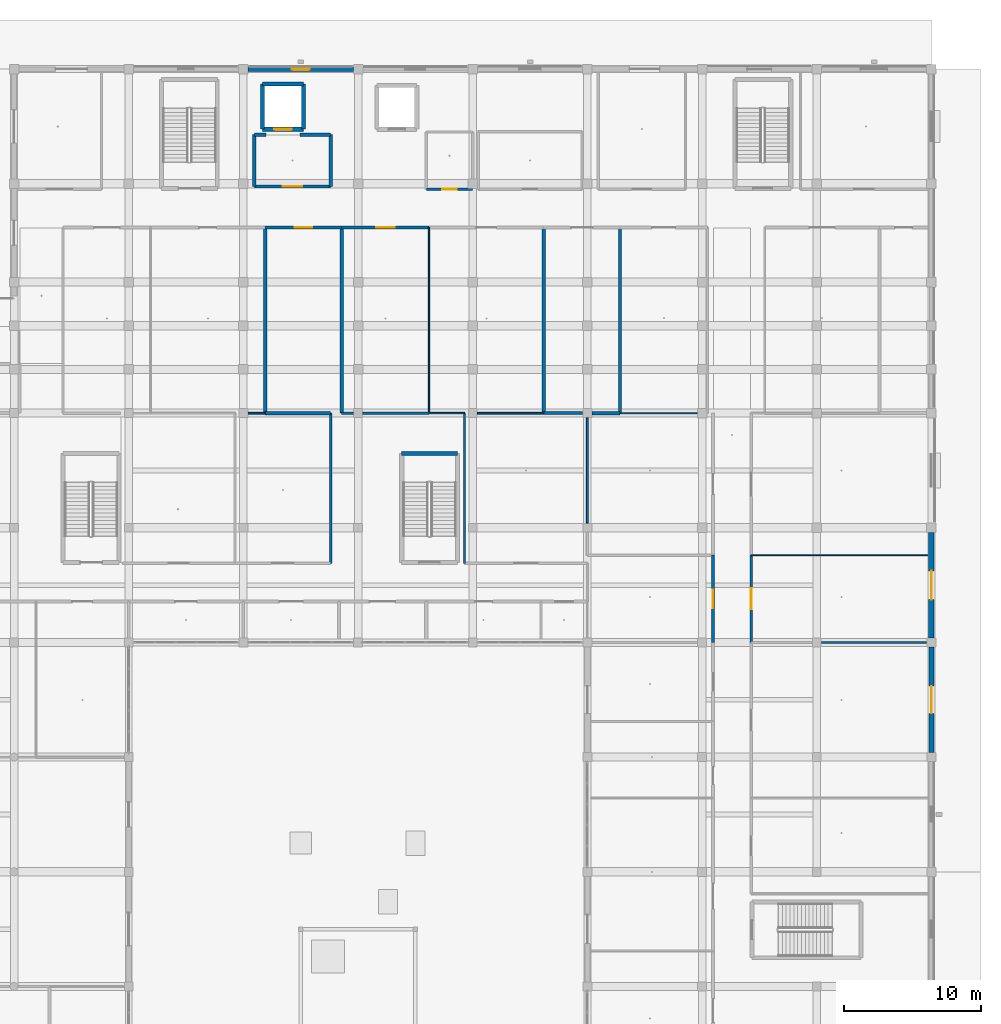
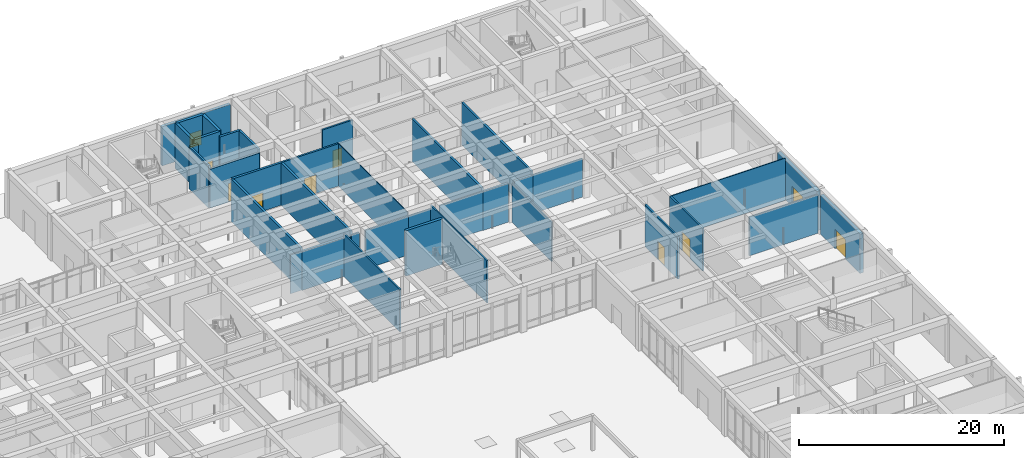
# One storey, part 77 of 167: 37 walls, 9 doors, 1 window, 10 openings.
"""IFC4 building model written with IfcOpenShell, lengths in metres."""

import ifcopenshell
import ifcopenshell.guid

model = None  # the IFC model being written
_history = None  # IfcOwnerHistory: only IFC2X3 demands one
_inside = {}  # id of a spatial element -> (the spatial element, [elements in it])
_under = {}  # id of a project, library or spatial element -> (it, [spatial elements below it])
_declared = {}  # id of a project -> (the project, [libraries it declares])
_typed = {}  # id of a type object -> (the type object, [elements of that type])
_made_of = {}  # id of a material, layer set ... -> (it, [elements and type objects made of it])


def new_model(schema):
    """Start an empty IFC model of exactly this schema.

    Asked for "IFC4X3", IfcOpenShell would pick the latest addendum, in which some entities
    have other attributes; the version numbers below select the first issue.
    IFC2X3 requires an IfcOwnerHistory on every rooted entity: one is made here for all.
    """
    global model, _history
    if schema == "IFC4X3":
        model = ifcopenshell.file(schema_version=(4, 3, 0, 0))
    else:
        model = ifcopenshell.file(schema=schema)
    _inside.clear()
    _under.clear()
    _declared.clear()
    _typed.clear()
    _made_of.clear()
    _history = None
    if model.schema == "IFC2X3":
        org = make("IfcOrganization", Name="unknown")
        user = make(
            "IfcPersonAndOrganization",
            ThePerson=make("IfcPerson", FamilyName="unknown"),
            TheOrganization=org,
        )
        app = make(
            "IfcApplication",
            ApplicationDeveloper=org,
            Version="unknown",
            ApplicationFullName="unknown",
            ApplicationIdentifier="unknown",
        )
        _history = make(
            "IfcOwnerHistory",
            OwningUser=user,
            OwningApplication=app,
            ChangeAction="ADDED",
            CreationDate=0,
        )
    return model


def make(cls, **values):
    """One entity of the class cls with the attributes given. An attribute that is None is left unset."""
    return model.create_entity(
        cls, **{name: value for name, value in values.items() if value is not None}
    )


def rooted(cls, **values):
    """An entity with a GlobalId (a new one), such as an element, a storey or a relation."""
    return make(cls, GlobalId=ifcopenshell.guid.new(), OwnerHistory=_history, **values)


def si_unit(unit_type, name, prefix=None):
    """IfcSIUnit, for example si_unit("LENGTHUNIT", "METRE", prefix="MILLI")."""
    return make("IfcSIUnit", UnitType=unit_type, Prefix=prefix, Name=name)


def assignment(units):
    """IfcUnitAssignment: the units of a project."""
    return None if units is None else make("IfcUnitAssignment", Units=units)


def point(xyz):
    """IfcCartesianPoint."""
    return None if xyz is None else make("IfcCartesianPoint", Coordinates=xyz)


def direction(xyz):
    """IfcDirection."""
    return None if xyz is None else make("IfcDirection", DirectionRatios=xyz)


def frame(location, z_axis=None, x_axis=None):
    """IfcAxis2Placement3D, a coordinate frame: its origin and axes. An axis left out is left unset."""
    return make(
        "IfcAxis2Placement3D",
        Location=point(location),
        Axis=direction(z_axis),
        RefDirection=direction(x_axis),
    )


def frame_2d(location, x_axis=None):
    """IfcAxis2Placement2D, a coordinate frame in the plane: its origin and x axis."""
    return make(
        "IfcAxis2Placement2D", Location=point(location), RefDirection=direction(x_axis)
    )


def origin():
    """The frame at (0, 0, 0) with its axes left unset."""
    return frame((0.0, 0.0, 0.0))


def place(relative_to, where):
    """IfcLocalPlacement: puts the frame where relative to a parent placement (None: the world)."""
    return make(
        "IfcLocalPlacement", PlacementRelTo=relative_to, RelativePlacement=where
    )


def context(
    kind, dimensions, precision=None, world=None, true_north=None, identifier=None
):
    """IfcGeometricRepresentationContext, for example the 3D "Model" context."""
    return make(
        "IfcGeometricRepresentationContext",
        ContextIdentifier=identifier,
        ContextType=kind,
        CoordinateSpaceDimension=dimensions,
        Precision=precision,
        WorldCoordinateSystem=world,
        TrueNorth=true_north,
    )


def subcontext(parent, identifier, kind, view, scale=None):
    """IfcGeometricRepresentationSubContext, for example "Body" below "Model"."""
    return make(
        "IfcGeometricRepresentationSubContext",
        ContextIdentifier=identifier,
        ContextType=kind,
        ParentContext=parent,
        TargetScale=scale,
        TargetView=view,
    )


def project(units=None, contexts=None):
    """IfcProject with its units and contexts."""
    return rooted(
        "IfcProject",
        Name="project",
        RepresentationContexts=contexts,
        UnitsInContext=assignment(units),
    )


def spatial(cls, under=None, at=None, **own):
    """A site, building, storey or space (cls), placed at a placement, below another one or the project."""
    s = rooted(cls, ObjectPlacement=at, **own)
    if under is not None:
        _under.setdefault(under.id(), (under, []))[1].append(s)
    return s


def profile(cls, at=None, kind="AREA", **sizes):
    """A parametric profile (cls). Its sizes go by their IFC names, for example OverallWidth=200.0."""
    return make(cls, ProfileType=kind, Position=at, **sizes)


def rectangle(**sizes):
    """IfcRectangleProfileDef."""
    return profile("IfcRectangleProfileDef", **sizes)


def extrude(swept, where, along, depth):
    """IfcExtrudedAreaSolid: the profile swept, set in the frame where, extruded along a direction by depth."""
    return make(
        "IfcExtrudedAreaSolid",
        SweptArea=swept,
        Position=where,
        ExtrudedDirection=direction(along),
        Depth=depth,
    )


def shape(context_of_items, identifier, shape_type, items):
    """IfcShapeRepresentation: the items that make up one representation, for example the "Body"."""
    return make(
        "IfcShapeRepresentation",
        ContextOfItems=context_of_items,
        RepresentationIdentifier=identifier,
        RepresentationType=shape_type,
        Items=items,
    )


def material(Name=None, Category=None):
    """IfcMaterial."""
    return make("IfcMaterial", Name=Name, Category=Category)


def layer(
    of_material, thickness, ventilated=None, Name=None, Category=None, Priority=None
):
    """IfcMaterialLayer: one layer of a wall or slab, of a material (None: an air gap)."""
    return make(
        "IfcMaterialLayer",
        Material=of_material,
        LayerThickness=thickness,
        IsVentilated=ventilated,
        Name=Name,
        Category=Category,
        Priority=Priority,
    )


def layer_set(layers, Name=None):
    """IfcMaterialLayerSet."""
    return make("IfcMaterialLayerSet", MaterialLayers=layers, LayerSetName=Name)


def made_of(thing, what):
    """Note that an element or type object is made of a material, layer set ...; save() writes the relation."""
    if what is not None:
        _made_of.setdefault(what.id(), (what, []))[1].append(thing)
    return thing


def type_object(cls, material=None, **own):
    """A type object (cls), such as IfcWallType, which elements share."""
    return made_of(rooted(cls, **own), material)


def element(
    cls,
    number,
    at=None,
    inside=None,
    cuts=None,
    type_object=None,
    material=None,
    context=None,
    identifier="Body",
    shape_type=None,
    held_by="IfcProductDefinitionShape",
    body=None,
    shapes=None,
    **own,
):
    """One element of the class cls, such as IfcWall. Its Tag is "e" and its number.

    at: its placement. inside: the storey or other place that contains it. cuts: it is an
    opening in that element (IfcRelVoidsElement). A single representation is given by context,
    identifier, shape_type and body (its items); several are given by shapes. held_by: the class
    of the entity that holds the representations. save() writes the other relations.
    """
    e = rooted(cls, Tag="e%d" % number, ObjectPlacement=at, **own)
    if body is not None:
        shapes = [shape(context, identifier, shape_type, body)]
    if shapes is not None:
        e.Representation = make(held_by, Representations=shapes)
    if inside is not None:
        _inside.setdefault(inside.id(), (inside, []))[1].append(e)
    if cuts is not None:
        rooted(
            "IfcRelVoidsElement", RelatingBuildingElement=cuts, RelatedOpeningElement=e
        )
    if type_object is not None:
        _typed.setdefault(type_object.id(), (type_object, []))[1].append(e)
    return made_of(e, material)


def fill(opening, filler):
    """IfcRelFillsElement: the door or window that sits in an opening."""
    return rooted(
        "IfcRelFillsElement",
        RelatingOpeningElement=opening,
        RelatedBuildingElement=filler,
    )


def aggregate(whole, parts):
    """IfcRelAggregates: a whole, such as a stair, and the parts it consists of."""
    return rooted("IfcRelAggregates", RelatingObject=whole, RelatedObjects=parts)


def save(model, path):
    """Write the relations noted so far, then the file.

    IfcRelAggregates (storeys below a building ...), IfcRelContainedInSpatialStructure (elements
    in a storey), IfcRelDefinesByType, IfcRelAssociatesMaterial and IfcRelDeclares: one each for
    every whole, place, type object, material and project.
    """
    for whole, parts in _under.values():
        aggregate(whole, parts)
    for where, things in _inside.values():
        rooted(
            "IfcRelContainedInSpatialStructure",
            RelatedElements=things,
            RelatingStructure=where,
        )
    for kind, things in _typed.values():
        rooted("IfcRelDefinesByType", RelatedObjects=things, RelatingType=kind)
    for what, things in _made_of.values():
        rooted("IfcRelAssociatesMaterial", RelatedObjects=things, RelatingMaterial=what)
    for by, libraries in _declared.values():
        rooted("IfcRelDeclares", RelatingContext=by, RelatedDefinitions=libraries)
    model.write(path)


model = new_model("IFC4")

# Units and contexts
model_context = context("Model", 3, precision=1e-05, world=origin(), true_north=direction((0.0, 1.0)))
body_context = subcontext(model_context, "Body", "Model", "MODEL_VIEW")
ifc_project = project(units=[si_unit("LENGTHUNIT", "METRE"), si_unit("AREAUNIT", "SQUARE_METRE"), si_unit("VOLUMEUNIT", "CUBIC_METRE"), si_unit("PLANEANGLEUNIT", "RADIAN"), si_unit("MASSUNIT", "GRAM", prefix="KILO")], contexts=[model_context])

# Site, building, storey
site_placement = place(None, origin())
site = spatial("IfcSite", under=ifc_project, at=site_placement, CompositionType="ELEMENT")
building_placement = place(site_placement, origin())
building = spatial("IfcBuilding", under=site, at=building_placement, Name="Varncliffe General Hospital", CompositionType="ELEMENT")
storey_placement = place(building_placement, origin())
storey = spatial("IfcBuildingStorey", under=building, at=storey_placement, Name="L00", CompositionType="ELEMENT", Elevation=0.0)

# Wall, opening, window
ifc_material_1 = material(Name="Precast concrete C40/50 with insulated cream lime-cement stucco", Category="concrete")
ifc_layer_1 = layer(ifc_material_1, 0.31005859375)
ifc_layer_set_1 = layer_set([ifc_layer_1], Name="Precast concrete C40/50 with insulated cream lime-cement stucco")
wall_type_1 = type_object("IfcWallType", Name="Exterior Insulated Stucco Wall EW20 (310mm)", PredefinedType="SOLIDWALL", material=ifc_layer_set_1)
wall_1_placement = place(storey_placement, frame((126.347900390625, 124.800048828125, 0.0), z_axis=(0.0, 0.0, 1.0), x_axis=(1.0, 0.0, 0.0)))
wall_1 = element("IfcWall", 1, at=wall_1_placement, inside=storey, type_object=wall_type_1, Name="L00 Exterior Stucco Wall EW20-29", PredefinedType="SOLIDWALL", context=body_context, shape_type="SweptSolid", body=[
    extrude(rectangle(XDim=7.7041015625, YDim=0.31005859375, at=frame_2d((3.85205078125, 0.0))), origin(), (0.0, 0.0, 1.0), 4.679931640625),
])
opening_1_placement = place(wall_1_placement, frame((3.201904296875, 0.0, 0.89990234375)))
opening_1 = element("IfcOpeningElement", 2, at=opening_1_placement, cuts=wall_1, Name="Opening WN40", PredefinedType="OPENING", context=body_context, shape_type="SweptSolid", body=[
    extrude(rectangle(XDim=1.300048828125, YDim=1.75, at=frame_2d((0.64990234375, 0.875))), frame((0.0, 0.1650390625, 0.0), z_axis=(0.0, -1.0, 0.0), x_axis=(1.0, 0.0, 0.0)), (0.0, 0.0, 1.0), 0.330078125),
])
ifc_material_2 = material(Name="Triple low-E argon insulated vision glazing", Category="glass")
window_type = type_object("IfcWindowType", Name="Triple-Glazed Hospital Window WN40 (1300x1750)", PartitioningType="SINGLE_PANEL", PredefinedType="WINDOW", material=ifc_material_2)
window_placement = place(opening_1_placement, origin())
window = element("IfcWindow", 3, at=window_placement, inside=storey, type_object=window_type, Name="L00 Hospital Window WN40-17", OverallHeight=1.75, OverallWidth=1.300048828125, PartitioningType="SINGLE_PANEL", PredefinedType="WINDOW", context=body_context, shape_type="SweptSolid", body=[
    extrude(rectangle(XDim=1.300048828125, YDim=1.75, at=frame_2d((0.64990234375, 0.875))), frame((0.0, 0.030029296875, 0.0), z_axis=(0.0, -1.0, 0.0), x_axis=(1.0, 0.0, 0.0)), (0.0, 0.0, 1.0), 0.06005859375),
])
fill(opening_1, window)

# Wall, opening, door
ifc_layer_2 = layer(ifc_material_1, 0.3798828125)
ifc_layer_set_2 = layer_set([ifc_layer_2], Name="Precast concrete C40/50 with insulated cream lime-cement stucco")
wall_type_2 = type_object("IfcWallType", Name="Exterior Insulated Stucco Wall EW26 (380mm)", PredefinedType="SOLIDWALL", material=ifc_layer_set_2)
wall_2_placement = place(storey_placement, frame((176.39990234375, 82.47705078125, 0.0), z_axis=(0.0, 0.0, 1.0), x_axis=(0.0, -1.0, 0.0)))
wall_2 = element("IfcWall", 4, at=wall_2_placement, inside=storey, type_object=wall_type_2, Name="L00 Exterior Stucco Wall EW26-42", PredefinedType="SOLIDWALL", context=body_context, shape_type="SweptSolid", body=[
    extrude(rectangle(XDim=7.754150390625, YDim=0.3798828125, at=frame_2d((3.876953125, 0.0))), origin(), (0.0, 0.0, 1.0), 4.679931640625),
])
opening_2_placement = place(wall_2_placement, frame((2.876953125, 0.0, 0.0)))
opening_2 = element("IfcOpeningElement", 5, at=opening_2_placement, cuts=wall_2, Name="Opening DE53", PredefinedType="OPENING", context=body_context, shape_type="SweptSolid", body=[
    extrude(rectangle(XDim=2.0, YDim=2.300048828125, at=frame_2d((1.0, 1.14990234375))), frame((0.0, 0.199951171875, 0.0), z_axis=(0.0, -1.0, 0.0), x_axis=(1.0, 0.0, 0.0)), (0.0, 0.0, 1.0), 0.39990234375),
])
ifc_material_3 = material(Name="Thermally broken bronze-anodized aluminium and safety glass door", Category="aluminium")
door_type_1 = type_object("IfcDoorType", Name="Exterior Pedestrian Door DE53 (2000x2300)", OperationType="NOTDEFINED", PredefinedType="DOOR", material=ifc_material_3)
door_1_placement = place(opening_2_placement, origin())
door_1 = element("IfcDoor", 6, at=door_1_placement, inside=storey, type_object=door_type_1, Name="Main Pedestrian Entrance and Final Exit Door FE-10", OperationType="DOUBLE_DOOR_SINGLE_SWING", OverallHeight=2.300048828125, OverallWidth=2.0, PredefinedType="DOOR", context=body_context, shape_type="SweptSolid", body=[
    extrude(rectangle(XDim=2.0, YDim=2.300048828125, at=frame_2d((1.0, 1.14990234375))), frame((0.0, 0.02490234375, 0.0), z_axis=(0.0, -1.0, 0.0), x_axis=(1.0, 0.0, 0.0)), (0.0, 0.0, 1.0), 0.050048828125),
])
fill(opening_2, door_1)

ifc_layer_3 = layer(ifc_material_1, 0.39990234375)
ifc_layer_set_3 = layer_set([ifc_layer_3], Name="Precast concrete C40/50 with insulated cream lime-cement stucco")
wall_type_3 = type_object("IfcWallType", Name="Exterior Insulated Stucco Wall EW47 (400mm)", PredefinedType="SOLIDWALL", material=ifc_layer_set_3)
wall_3_placement = place(storey_placement, frame((176.39990234375, 90.85205078125, 0.0), z_axis=(0.0, 0.0, 1.0), x_axis=(0.0, -1.0, 0.0)))
wall_3 = element("IfcWall", 7, at=wall_3_placement, inside=storey, type_object=wall_type_3, Name="L00 Exterior Stucco Wall EW47-41", PredefinedType="SOLIDWALL", context=body_context, shape_type="SweptSolid", body=[
    extrude(rectangle(XDim=7.72900390625, YDim=0.39990234375, at=frame_2d((3.864501953125, 0.0))), origin(), (0.0, 0.0, 1.0), 4.679931640625),
])
opening_3_placement = place(wall_3_placement, frame((2.814453125, 0.0, 0.0)))
opening_3 = element("IfcOpeningElement", 8, at=opening_3_placement, cuts=wall_3, Name="Opening DE44", PredefinedType="OPENING", context=body_context, shape_type="SweptSolid", body=[
    extrude(rectangle(XDim=2.10009765625, YDim=2.35009765625, at=frame_2d((1.050048828125, 1.175048828125))), frame((0.0, 0.2099609375, 0.0), z_axis=(0.0, -1.0, 0.0), x_axis=(1.0, 0.0, 0.0)), (0.0, 0.0, 1.0), 0.419921875),
])
door_type_2 = type_object("IfcDoorType", Name="Exterior Pedestrian Door DE44 (2100x2350)", OperationType="NOTDEFINED", PredefinedType="DOOR", material=ifc_material_3)
door_2_placement = place(opening_3_placement, origin())
door_2 = element("IfcDoor", 9, at=door_2_placement, inside=storey, type_object=door_type_2, Name="Main Pedestrian Entrance and Final Exit Door FE-09", OperationType="DOUBLE_DOOR_SINGLE_SWING", OverallHeight=2.35009765625, OverallWidth=2.10009765625, PredefinedType="DOOR", context=body_context, shape_type="SweptSolid", body=[
    extrude(rectangle(XDim=2.10009765625, YDim=2.35009765625, at=frame_2d((1.050048828125, 1.175048828125))), frame((0.0, 0.02490234375, 0.0), z_axis=(0.0, -1.0, 0.0), x_axis=(1.0, 0.0, 0.0)), (0.0, 0.0, 1.0), 0.050048828125),
])
fill(opening_3, door_2)

# Walls
ifc_material_4 = material(Name="Acoustic clinical gypsum stud partition assembly", Category="gypsum")
ifc_layer_4 = layer(ifc_material_4, 0.1298828125)
ifc_layer_set_4 = layer_set([ifc_layer_4], Name="Acoustic clinical gypsum stud partition assembly")
wall_type_4 = type_object("IfcWallType", Name="Interior Partitioning IW11 (130mm)", PredefinedType="PARTITIONING", material=ifc_layer_set_4)
wall_4_placement = place(storey_placement, frame((126.340087890625, 99.60009765625, 0.0), z_axis=(0.0, 0.0, 1.0), x_axis=(1.0, 0.0, 0.0)))
element("IfcWall", 10, at=wall_4_placement, inside=storey, type_object=wall_type_4, Name="L00 Interior Partition Wall IW11-208", PredefinedType="PARTITIONING", context=body_context, shape_type="SweptSolid", body=[
    extrude(rectangle(XDim=1.260009765625, YDim=0.1298828125, at=frame_2d((0.6298828125, 0.0))), origin(), (0.0, 0.0, 1.0), 4.635009765625),
])
wall_5_placement = place(storey_placement, frame((143.139892578125, 99.60009765625, 0.0), z_axis=(0.0, 0.0, 1.0), x_axis=(1.0, 0.0, 0.0)))
element("IfcWall", 11, at=wall_5_placement, inside=storey, type_object=wall_type_4, Name="L00 Interior Partition Wall IW11-213", PredefinedType="PARTITIONING", context=body_context, shape_type="SweptSolid", body=[
    extrude(rectangle(XDim=4.860107421875, YDim=0.1298828125, at=frame_2d((2.43017578125, 0.0))), origin(), (0.0, 0.0, 1.0), 4.635009765625),
])
wall_6_placement = place(storey_placement, frame((151.199951171875, 91.5400390625, 0.0), z_axis=(0.0, 0.0, 1.0), x_axis=(0.0, 1.0, 0.0)))
element("IfcWall", 12, at=wall_6_placement, inside=storey, type_object=wall_type_4, Name="L00 Interior Partition Wall IW11-393", PredefinedType="PARTITIONING", context=body_context, shape_type="SweptSolid", body=[
    extrude(rectangle(XDim=7.719970703125, YDim=0.1298828125, at=frame_2d((3.85986328125, 0.0))), origin(), (0.0, 0.0, 1.0), 4.68505859375),
])
ifc_layer_5 = layer(ifc_material_4, 0.169921875)
ifc_layer_set_5 = layer_set([ifc_layer_5], Name="Acoustic clinical gypsum stud partition assembly")
wall_type_5 = type_object("IfcWallType", Name="Interior Partitioning IW20 (170mm)", PredefinedType="PARTITIONING", material=ifc_layer_set_5)
wall_7_placement = place(storey_placement, frame((134.739990234375, 99.60009765625, 0.0), z_axis=(0.0, 0.0, 1.0), x_axis=(1.0, 0.0, 0.0)))
element("IfcWall", 13, at=wall_7_placement, inside=storey, type_object=wall_type_5, Name="L00 Interior Partition Wall IW20-210", PredefinedType="PARTITIONING", context=body_context, shape_type="SweptSolid", body=[
    extrude(rectangle(XDim=4.860107421875, YDim=0.169921875, at=frame_2d((2.43017578125, 0.0))), origin(), (0.0, 0.0, 1.0), 4.635009765625),
])
wall_8_placement = place(storey_placement, frame((133.199951171875, 99.60009765625, 0.0), z_axis=(0.0, 0.0, 1.0), x_axis=(1.0, 0.0, 0.0)))
element("IfcWall", 14, at=wall_8_placement, inside=storey, type_object=wall_type_5, Name="L00 Interior Partition Wall IW20-211", PredefinedType="PARTITIONING", context=body_context, shape_type="SweptSolid", body=[
    extrude(rectangle(XDim=0.860107421875, YDim=0.169921875, at=frame_2d((0.43017578125, 0.0))), origin(), (0.0, 0.0, 1.0), 4.635009765625),
])
wall_9_placement = place(storey_placement, frame((132.39990234375, 88.60009765625, 0.0), z_axis=(0.0, 0.0, 1.0), x_axis=(0.0, 1.0, 0.0)))
element("IfcWall", 15, at=wall_9_placement, inside=storey, type_object=wall_type_5, Name="L00 Interior Partition Wall IW20-370", PredefinedType="PARTITIONING", context=body_context, shape_type="SweptSolid", body=[
    extrude(rectangle(XDim=11.0, YDim=0.169921875, at=frame_2d((5.5, 0.0))), origin(), (0.0, 0.0, 1.0), 5.0400390625),
])
ifc_layer_6 = layer(ifc_material_4, 0.14990234375)
ifc_layer_set_6 = layer_set([ifc_layer_6], Name="Acoustic clinical gypsum stud partition assembly")
wall_type_6 = type_object("IfcWallType", Name="Interior Partitioning IW35 (150mm)", PredefinedType="PARTITIONING", material=ifc_layer_set_6)
wall_10_placement = place(storey_placement, frame((168.340087890625, 82.800048828125, 0.0), z_axis=(0.0, 0.0, 1.0), x_axis=(1.0, 0.0, 0.0)))
element("IfcWall", 16, at=wall_10_placement, inside=storey, type_object=wall_type_6, Name="L00 Interior Partition Wall IW35-144", PredefinedType="PARTITIONING", context=body_context, shape_type="SweptSolid", body=[
    extrude(rectangle(XDim=7.719970703125, YDim=0.14990234375, at=frame_2d((3.85986328125, 0.0))), origin(), (0.0, 0.0, 1.0), 4.635009765625),
])
wall_11_placement = place(storey_placement, frame((142.199951171875, 88.60009765625, 0.0), z_axis=(0.0, 0.0, 1.0), x_axis=(0.0, 1.0, 0.0)))
element("IfcWall", 17, at=wall_11_placement, inside=storey, type_object=wall_type_6, Name="L00 Interior Partition Wall IW35-379", PredefinedType="PARTITIONING", context=body_context, shape_type="SweptSolid", body=[
    extrude(rectangle(XDim=11.0, YDim=0.14990234375, at=frame_2d((5.5, 0.0))), origin(), (0.0, 0.0, 1.0), 5.0400390625),
])
ifc_layer_7 = layer(ifc_material_4, 0.090087890625)
ifc_layer_set_7 = layer_set([ifc_layer_7], Name="Acoustic clinical gypsum stud partition assembly")
wall_type_7 = type_object("IfcWallType", Name="Interior Partitioning IW42 (90mm)", PredefinedType="PARTITIONING", material=ifc_layer_set_7)
wall_12_placement = place(storey_placement, frame((163.199951171875, 89.199951171875, 0.0), z_axis=(0.0, 0.0, 1.0), x_axis=(1.0, 0.0, 0.0)))
element("IfcWall", 18, at=wall_12_placement, inside=storey, type_object=wall_type_7, Name="L00 Interior Partition Wall IW42-176", PredefinedType="PARTITIONING", context=body_context, shape_type="SweptSolid", body=[
    extrude(rectangle(XDim=12.93994140625, YDim=0.090087890625, at=frame_2d((6.469970703125, 0.0))), origin(), (0.0, 0.0, 1.0), 5.0400390625),
])
wall_13_placement = place(storey_placement, frame((153.60009765625, 99.60009765625, 0.0), z_axis=(0.0, 0.0, 1.0), x_axis=(1.0, 0.0, 0.0)))
element("IfcWall", 19, at=wall_13_placement, inside=storey, type_object=wall_type_7, Name="L00 Interior Partition Wall IW42-216", PredefinedType="PARTITIONING", context=body_context, shape_type="SweptSolid", body=[
    extrude(rectangle(XDim=5.635009765625, YDim=0.090087890625, at=frame_2d((2.8173828125, 0.0))), origin(), (0.0, 0.0, 1.0), 4.635009765625),
])
wall_14_placement = place(storey_placement, frame((139.60009765625, 99.60009765625, 0.0), z_axis=(0.0, 0.0, 1.0), x_axis=(0.0, 1.0, 0.0)))
element("IfcWall", 20, at=wall_14_placement, inside=storey, type_object=wall_type_7, Name="L00 Interior Partition Wall IW42-376", PredefinedType="PARTITIONING", context=body_context, shape_type="SweptSolid", body=[
    extrude(rectangle(XDim=13.599853515625, YDim=0.090087890625, at=frame_2d((6.7998046875, 0.0))), origin(), (0.0, 0.0, 1.0), 5.0400390625),
])
ifc_layer_8 = layer(ifc_material_4, 0.110107421875)
ifc_layer_set_8 = layer_set([ifc_layer_8], Name="Acoustic clinical gypsum stud partition assembly")
wall_type_8 = type_object("IfcWallType", Name="Interior Partitioning IW65 (110mm)", PredefinedType="PARTITIONING", material=ifc_layer_set_8)
wall_15_placement = place(storey_placement, frame((139.60009765625, 99.60009765625, 0.0), z_axis=(0.0, 0.0, 1.0), x_axis=(1.0, 0.0, 0.0)))
element("IfcWall", 21, at=wall_15_placement, inside=storey, type_object=wall_type_8, Name="L00 Interior Partition Wall IW65-212", PredefinedType="PARTITIONING", context=body_context, shape_type="SweptSolid", body=[
    extrude(rectangle(XDim=2.599853515625, YDim=0.110107421875, at=frame_2d((1.2998046875, 0.0))), origin(), (0.0, 0.0, 1.0), 4.635009765625),
])
ifc_material_5 = material(Name="Fire-rated gypsum and mineral-wool partition assembly", Category="gypsum")
ifc_layer_9 = layer(ifc_material_5, 0.25)
ifc_layer_set_9 = layer_set([ifc_layer_9], Name="Fire-rated gypsum and mineral-wool partition assembly")
wall_type_9 = type_object("IfcWallType", Name="Interior Partitioning PW38 (250mm)", PredefinedType="PARTITIONING", material=ifc_layer_set_9)
wall_16_placement = place(storey_placement, frame((127.60009765625, 99.60009765625, 0.0), z_axis=(0.0, 0.0, 1.0), x_axis=(1.0, 0.0, 0.0)))
element("IfcWall", 22, at=wall_16_placement, inside=storey, type_object=wall_type_9, Name="L00 Interior Partition Wall PW38-209", PredefinedType="PARTITIONING", context=body_context, shape_type="SweptSolid", body=[
    extrude(rectangle(XDim=4.7998046875, YDim=0.25, at=frame_2d((2.39990234375, 0.0))), origin(), (0.0, 0.0, 1.0), 4.635009765625),
])
wall_17_placement = place(storey_placement, frame((151.5400390625, 99.60009765625, 0.0), z_axis=(0.0, 0.0, 1.0), x_axis=(1.0, 0.0, 0.0)))
element("IfcWall", 23, at=wall_17_placement, inside=storey, type_object=wall_type_9, Name="L00 Interior Partition Wall PW38-215", PredefinedType="PARTITIONING", context=body_context, shape_type="SweptSolid", body=[
    extrude(rectangle(XDim=2.06005859375, YDim=0.25, at=frame_2d((1.030029296875, 0.0))), origin(), (0.0, 0.0, 1.0), 4.635009765625),
])

# Wall, opening, door
wall_18_placement = place(storey_placement, frame((127.60009765625, 113.199951171875, 0.0), z_axis=(0.0, 0.0, 1.0), x_axis=(1.0, 0.0, 0.0)))
wall_18 = element("IfcWall", 24, at=wall_18_placement, inside=storey, type_object=wall_type_9, Name="L00 Interior Partition Wall PW38-237", PredefinedType="PARTITIONING", context=body_context, shape_type="SweptSolid", body=[
    extrude(rectangle(XDim=5.599853515625, YDim=0.25, at=frame_2d((2.7998046875, 0.0))), origin(), (0.0, 0.0, 1.0), 5.0400390625),
])
opening_4_placement = place(wall_18_placement, frame((2.14990234375, 0.0, 0.0)))
opening_4 = element("IfcOpeningElement", 25, at=opening_4_placement, cuts=wall_18, Name="Opening DC88", PredefinedType="OPENING", context=body_context, shape_type="SweptSolid", body=[
    extrude(rectangle(XDim=1.300048828125, YDim=2.199951171875, at=frame_2d((0.64990234375, 1.10009765625))), frame((0.0, 0.135009765625, 0.0), z_axis=(0.0, -1.0, 0.0), x_axis=(1.0, 0.0, 0.0)), (0.0, 0.0, 1.0), 0.27001953125),
])
ifc_material_6 = material(Name="Fire-rated hospital steel-frame vision-panel door", Category="steel")
door_type_3 = type_object("IfcDoorType", Name="Interior Hospital Door DC88 (1300x2200)", OperationType="NOTDEFINED", PredefinedType="DOOR", material=ifc_material_6)
door_3_placement = place(opening_4_placement, frame((1.300048828125, 0.0, 0.0), z_axis=(0.0, 0.0, 1.0), x_axis=(-1.0, 0.0, 0.0)))
door_3 = element("IfcDoor", 26, at=door_3_placement, inside=storey, type_object=door_type_3, Name="L00 Ground Ward Clean Utility Store 124 Door", OperationType="SINGLE_SWING_LEFT", OverallHeight=2.199951171875, OverallWidth=1.300048828125, PredefinedType="DOOR", context=body_context, shape_type="SweptSolid", body=[
    extrude(rectangle(XDim=1.300048828125, YDim=2.199951171875, at=frame_2d((0.64990234375, 1.10009765625))), frame((0.0, 0.02490234375, 0.0), z_axis=(0.0, -1.0, 0.0), x_axis=(1.0, 0.0, 0.0)), (0.0, 0.0, 1.0), 0.050048828125),
])
fill(opening_4, door_3)

# Walls
wall_19_placement = place(storey_placement, frame((130.135986328125, 120.0, 0.0), z_axis=(0.0, 0.0, 1.0), x_axis=(1.0, 0.0, 0.0)))
element("IfcWall", 27, at=wall_19_placement, inside=storey, type_object=wall_type_9, Name="L00 Interior Partition Wall PW38-261", PredefinedType="PARTITIONING", context=body_context, shape_type="SweptSolid", body=[
    extrude(rectangle(XDim=2.263916015625, YDim=0.25, at=frame_2d((1.1318359375, 0.0))), origin(), (0.0, 0.0, 1.0), 5.0400390625),
])
wall_20_placement = place(storey_placement, frame((126.800048828125, 120.0, 0.0), z_axis=(0.0, 0.0, 1.0), x_axis=(1.0, 0.0, 0.0)))
element("IfcWall", 28, at=wall_20_placement, inside=storey, type_object=wall_type_9, Name="L00 Interior Partition Wall PW38-262", PredefinedType="PARTITIONING", context=body_context, shape_type="SweptSolid", body=[
    extrude(rectangle(XDim=0.864013671875, YDim=0.25, at=frame_2d((0.43212890625, 0.0))), origin(), (0.0, 0.0, 1.0), 5.0400390625),
])
wall_21_placement = place(storey_placement, frame((127.60009765625, 99.60009765625, 0.0), z_axis=(0.0, 0.0, 1.0), x_axis=(0.0, 1.0, 0.0)))
element("IfcWall", 29, at=wall_21_placement, inside=storey, type_object=wall_type_9, Name="L00 Interior Partition Wall PW38-367", PredefinedType="PARTITIONING", context=body_context, shape_type="SweptSolid", body=[
    extrude(rectangle(XDim=13.599853515625, YDim=0.25, at=frame_2d((6.7998046875, 0.0))), origin(), (0.0, 0.0, 1.0), 5.0400390625),
])
wall_22_placement = place(storey_placement, frame((132.39990234375, 116.199951171875, 0.0), z_axis=(0.0, 0.0, 1.0), x_axis=(0.0, 1.0, 0.0)))
element("IfcWall", 30, at=wall_22_placement, inside=storey, type_object=wall_type_9, Name="L00 Interior Partition Wall PW38-371", PredefinedType="PARTITIONING", context=body_context, shape_type="SweptSolid", body=[
    extrude(rectangle(XDim=3.800048828125, YDim=0.25, at=frame_2d((1.89990234375, 0.0))), origin(), (0.0, 0.0, 1.0), 5.0400390625),
])
wall_23_placement = place(storey_placement, frame((133.199951171875, 99.60009765625, 0.0), z_axis=(0.0, 0.0, 1.0), x_axis=(0.0, 1.0, 0.0)))
element("IfcWall", 31, at=wall_23_placement, inside=storey, type_object=wall_type_9, Name="L00 Interior Partition Wall PW38-373", PredefinedType="PARTITIONING", context=body_context, shape_type="SweptSolid", body=[
    extrude(rectangle(XDim=13.599853515625, YDim=0.25, at=frame_2d((6.7998046875, 0.0))), origin(), (0.0, 0.0, 1.0), 5.0400390625),
])
ifc_layer_10 = layer(ifc_material_5, 0.22998046875)
ifc_layer_set_10 = layer_set([ifc_layer_10], Name="Fire-rated gypsum and mineral-wool partition assembly")
wall_type_10 = type_object("IfcWallType", Name="Interior Partitioning PW48 (230mm)", PredefinedType="PARTITIONING", material=ifc_layer_set_10)
wall_24_placement = place(storey_placement, frame((148.0, 99.60009765625, 0.0), z_axis=(0.0, 0.0, 1.0), x_axis=(1.0, 0.0, 0.0)))
element("IfcWall", 32, at=wall_24_placement, inside=storey, type_object=wall_type_10, Name="L00 Interior Partition Wall PW48-214", PredefinedType="PARTITIONING", context=body_context, shape_type="SweptSolid", body=[
    extrude(rectangle(XDim=2.860107421875, YDim=0.22998046875, at=frame_2d((1.43017578125, 0.0))), origin(), (0.0, 0.0, 1.0), 4.635009765625),
])

# Wall, opening, door
wall_25_placement = place(storey_placement, frame((126.800048828125, 116.199951171875, 0.0), z_axis=(0.0, 0.0, 1.0), x_axis=(1.0, 0.0, 0.0)))
wall_25 = element("IfcWall", 33, at=wall_25_placement, inside=storey, type_object=wall_type_10, Name="L00 Interior Partition Wall PW48-256", PredefinedType="PARTITIONING", context=body_context, shape_type="SweptSolid", body=[
    extrude(rectangle(XDim=5.599853515625, YDim=0.22998046875, at=frame_2d((2.7998046875, 0.0))), origin(), (0.0, 0.0, 1.0), 4.635009765625),
])
opening_5_placement = place(wall_25_placement, frame((2.10009765625, 0.0, 0.0)))
opening_5 = element("IfcOpeningElement", 34, at=opening_5_placement, cuts=wall_25, Name="Opening DF81", PredefinedType="OPENING", context=body_context, shape_type="SweptSolid", body=[
    extrude(rectangle(XDim=1.39990234375, YDim=2.199951171875, at=frame_2d((0.699951171875, 1.10009765625))), frame((0.0, 0.125, 0.0), z_axis=(0.0, -1.0, 0.0), x_axis=(1.0, 0.0, 0.0)), (0.0, 0.0, 1.0), 0.25),
])
door_type_4 = type_object("IfcDoorType", Name="Interior Hospital Door DF81 (1400x2200)", OperationType="NOTDEFINED", PredefinedType="DOOR", material=ifc_material_6)
door_4_placement = place(opening_5_placement, origin())
door_4 = element("IfcDoor", 35, at=door_4_placement, inside=storey, type_object=door_type_4, Name="L00 Firefighting Lift Lobby LF03 Door", OperationType="SINGLE_SWING_RIGHT", OverallHeight=2.199951171875, OverallWidth=1.39990234375, PredefinedType="DOOR", context=body_context, shape_type="SweptSolid", body=[
    extrude(rectangle(XDim=1.39990234375, YDim=2.199951171875, at=frame_2d((0.699951171875, 1.10009765625))), frame((0.0, 0.02490234375, 0.0), z_axis=(0.0, -1.0, 0.0), x_axis=(1.0, 0.0, 0.0)), (0.0, 0.0, 1.0), 0.050048828125),
])
fill(opening_5, door_4)

# Walls
wall_26_placement = place(storey_placement, frame((126.800048828125, 116.199951171875, 0.0), z_axis=(0.0, 0.0, 1.0), x_axis=(0.0, 1.0, 0.0)))
element("IfcWall", 36, at=wall_26_placement, inside=storey, type_object=wall_type_10, Name="L00 Interior Partition Wall PW48-366", PredefinedType="PARTITIONING", context=body_context, shape_type="SweptSolid", body=[
    extrude(rectangle(XDim=3.800048828125, YDim=0.22998046875, at=frame_2d((1.89990234375, 0.0))), origin(), (0.0, 0.0, 1.0), 5.0400390625),
])
for number, where, z_axis, x_axis, name in (
    (37, (148.0, 99.60009765625, 0.0), (0.0, 0.0, 1.0), (0.0, 1.0, 0.0), "L00 Interior Partition Wall PW48-384"),
    (38, (153.60009765625, 99.60009765625, 0.0), (0.0, 0.0, 1.0), (0.0, 1.0, 0.0), "L00 Interior Partition Wall PW48-396"),
):
    element("IfcWall", number, at=place(storey_placement, frame(where, z_axis=z_axis, x_axis=x_axis)), inside=storey, type_object=wall_type_10, Name=name, PredefinedType="PARTITIONING", context=body_context, shape_type="SweptSolid", body=[
        extrude(rectangle(XDim=13.599853515625, YDim=0.22998046875, at=frame_2d((6.7998046875, 0.0))), origin(), (0.0, 0.0, 1.0), 5.0400390625),
    ])

# Wall, opening, door
ifc_layer_11 = layer(ifc_material_5, 0.199951171875)
ifc_layer_set_11 = layer_set([ifc_layer_11], Name="Fire-rated gypsum and mineral-wool partition assembly")
wall_type_11 = type_object("IfcWallType", Name="Interior Partitioning PW63 (200mm)", PredefinedType="PARTITIONING", material=ifc_layer_set_11)
wall_27_placement = place(storey_placement, frame((133.199951171875, 113.199951171875, 0.0), z_axis=(0.0, 0.0, 1.0), x_axis=(1.0, 0.0, 0.0)))
wall_27 = element("IfcWall", 39, at=wall_27_placement, inside=storey, type_object=wall_type_11, Name="L00 Interior Partition Wall PW63-238", PredefinedType="PARTITIONING", context=body_context, shape_type="SweptSolid", body=[
    extrude(rectangle(XDim=6.400146484375, YDim=0.199951171875, at=frame_2d((3.2001953125, 0.0))), origin(), (0.0, 0.0, 1.0), 5.0400390625),
])
opening_6_placement = place(wall_27_placement, frame((2.52490234375, 0.0, 0.0)))
opening_6 = element("IfcOpeningElement", 40, at=opening_6_placement, cuts=wall_27, Name="Opening DC85", PredefinedType="OPENING", context=body_context, shape_type="SweptSolid", body=[
    extrude(rectangle(XDim=1.35009765625, YDim=2.199951171875, at=frame_2d((0.675048828125, 1.10009765625))), frame((0.0, 0.10986328125, 0.0), z_axis=(0.0, -1.0, 0.0), x_axis=(1.0, 0.0, 0.0)), (0.0, 0.0, 1.0), 0.219970703125),
])
door_type_5 = type_object("IfcDoorType", Name="Interior Hospital Door DC85 (1350x2200)", OperationType="NOTDEFINED", PredefinedType="DOOR", material=ifc_material_6)
door_5_placement = place(opening_6_placement, frame((1.35009765625, 0.0, 0.0), z_axis=(0.0, 0.0, 1.0), x_axis=(-1.0, 0.0, 0.0)))
door_5 = element("IfcDoor", 41, at=door_5_placement, inside=storey, type_object=door_type_5, Name="L00 Outpatient Phlebotomy and Pre-Admission Clinic 125 Door", OperationType="SINGLE_SWING_RIGHT", OverallHeight=2.199951171875, OverallWidth=1.35009765625, PredefinedType="DOOR", context=body_context, shape_type="SweptSolid", body=[
    extrude(rectangle(XDim=1.35009765625, YDim=2.199951171875, at=frame_2d((0.675048828125, 1.10009765625))), frame((0.0, 0.02490234375, 0.0), z_axis=(0.0, -1.0, 0.0), x_axis=(1.0, 0.0, 0.0)), (0.0, 0.0, 1.0), 0.050048828125),
])
fill(opening_6, door_5)

wall_28_placement = place(storey_placement, frame((139.39990234375, 116.0, 0.0), z_axis=(0.0, 0.0, 1.0), x_axis=(1.0, 0.0, 0.0)))
wall_28 = element("IfcWall", 42, at=wall_28_placement, inside=storey, type_object=wall_type_11, Name="L00 Interior Partition Wall PW63-250", PredefinedType="PARTITIONING", context=body_context, shape_type="SweptSolid", body=[
    extrude(rectangle(XDim=3.400146484375, YDim=0.199951171875, at=frame_2d((1.7001953125, 0.0))), origin(), (0.0, 0.0, 1.0), 5.0400390625),
])
opening_7_placement = place(wall_28_placement, frame((1.179931640625, 0.0, 0.0)))
opening_7 = element("IfcOpeningElement", 43, at=opening_7_placement, cuts=wall_28, Name="Opening DI77", PredefinedType="OPENING", context=body_context, shape_type="SweptSolid", body=[
    extrude(rectangle(XDim=1.0400390625, YDim=2.10009765625, at=frame_2d((0.52001953125, 1.050048828125))), frame((0.0, 0.10986328125, 0.0), z_axis=(0.0, -1.0, 0.0), x_axis=(1.0, 0.0, 0.0)), (0.0, 0.0, 1.0), 0.219970703125),
])
ifc_material_7 = material(Name="Solid-core antimicrobial hospital oak veneer door", Category="wood")
door_type_6 = type_object("IfcDoorType", Name="Interior Hospital Door DI77 (1040x2100)", OperationType="NOTDEFINED", PredefinedType="DOOR", material=ifc_material_7)
door_6_placement = place(opening_7_placement, origin())
door_6 = element("IfcDoor", 44, at=door_6_placement, inside=storey, type_object=door_type_6, Name="L00 Accessible WC L00-NE Door", OperationType="SINGLE_SWING_RIGHT", OverallHeight=2.10009765625, OverallWidth=1.0400390625, PredefinedType="DOOR", context=body_context, shape_type="SweptSolid", body=[
    extrude(rectangle(XDim=1.0400390625, YDim=2.10009765625, at=frame_2d((0.52001953125, 1.050048828125))), frame((0.0, 0.02490234375, 0.0), z_axis=(0.0, -1.0, 0.0), x_axis=(1.0, 0.0, 0.0)), (0.0, 0.0, 1.0), 0.050048828125),
])
fill(opening_7, door_6)

wall_29_placement = place(storey_placement, frame((160.39990234375, 82.800048828125, 0.0), z_axis=(0.0, 0.0, 1.0), x_axis=(0.0, 1.0, 0.0)))
wall_29 = element("IfcWall", 45, at=wall_29_placement, inside=storey, type_object=wall_type_11, Name="L00 Interior Partition Wall PW63-410", PredefinedType="PARTITIONING", context=body_context, shape_type="SweptSolid", body=[
    extrude(rectangle(XDim=6.39990234375, YDim=0.199951171875, at=frame_2d((3.199951171875, 0.0))), origin(), (0.0, 0.0, 1.0), 5.0400390625),
])
opening_8_placement = place(wall_29_placement, frame((2.52490234375, 0.0, 0.0)))
opening_8 = element("IfcOpeningElement", 46, at=opening_8_placement, cuts=wall_29, Name="Opening DC85", PredefinedType="OPENING", context=body_context, shape_type="SweptSolid", body=[
    extrude(rectangle(XDim=1.35009765625, YDim=2.199951171875, at=frame_2d((0.675048828125, 1.10009765625))), frame((0.0, 0.10986328125, 0.0), z_axis=(0.0, -1.0, 0.0), x_axis=(1.0, 0.0, 0.0)), (0.0, 0.0, 1.0), 0.219970703125),
])
door_7_placement = place(opening_8_placement, origin())
door_7 = element("IfcDoor", 47, at=door_7_placement, inside=storey, type_object=door_type_5, Name="L00 Outpatient Phlebotomy and Pre-Admission Clinic 139 Door", OperationType="SINGLE_SWING_LEFT", OverallHeight=2.199951171875, OverallWidth=1.35009765625, PredefinedType="DOOR", context=body_context, shape_type="SweptSolid", body=[
    extrude(rectangle(XDim=1.35009765625, YDim=2.199951171875, at=frame_2d((0.675048828125, 1.10009765625))), frame((0.0, 0.02490234375, 0.0), z_axis=(0.0, -1.0, 0.0), x_axis=(1.0, 0.0, 0.0)), (0.0, 0.0, 1.0), 0.050048828125),
])
fill(opening_8, door_7)

wall_30_placement = place(storey_placement, frame((163.199951171875, 82.800048828125, 0.0), z_axis=(0.0, 0.0, 1.0), x_axis=(0.0, 1.0, 0.0)))
wall_30 = element("IfcWall", 48, at=wall_30_placement, inside=storey, type_object=wall_type_11, Name="L00 Interior Partition Wall PW63-419", PredefinedType="PARTITIONING", context=body_context, shape_type="SweptSolid", body=[
    extrude(rectangle(XDim=6.39990234375, YDim=0.199951171875, at=frame_2d((3.199951171875, 0.0))), origin(), (0.0, 0.0, 1.0), 5.0400390625),
])
opening_9_placement = place(wall_30_placement, frame((2.425048828125, 0.0, 0.0)))
opening_9 = element("IfcOpeningElement", 49, at=opening_9_placement, cuts=wall_30, Name="Opening DC67", PredefinedType="OPENING", context=body_context, shape_type="SweptSolid", body=[
    extrude(rectangle(XDim=1.550048828125, YDim=2.25, at=frame_2d((0.77490234375, 1.125))), frame((0.0, 0.10986328125, 0.0), z_axis=(0.0, -1.0, 0.0), x_axis=(1.0, 0.0, 0.0)), (0.0, 0.0, 1.0), 0.219970703125),
])
door_type_7 = type_object("IfcDoorType", Name="Interior Hospital Door DC67 (1550x2250)", OperationType="NOTDEFINED", PredefinedType="DOOR", material=ifc_material_6)
door_8_placement = place(opening_9_placement, frame((1.550048828125, 0.0, 0.0), z_axis=(0.0, 0.0, 1.0), x_axis=(-1.0, 0.0, 0.0)))
door_8 = element("IfcDoor", 50, at=door_8_placement, inside=storey, type_object=door_type_7, Name="L00 Outpatient Phlebotomy and Pre-Admission Clinic 141 Door", OperationType="SINGLE_SWING_RIGHT", OverallHeight=2.25, OverallWidth=1.550048828125, PredefinedType="DOOR", context=body_context, shape_type="SweptSolid", body=[
    extrude(rectangle(XDim=1.550048828125, YDim=2.25, at=frame_2d((0.77490234375, 1.125))), frame((0.0, 0.02490234375, 0.0), z_axis=(0.0, -1.0, 0.0), x_axis=(1.0, 0.0, 0.0)), (0.0, 0.0, 1.0), 0.050048828125),
])
fill(opening_9, door_8)

# Wall
ifc_material_8 = material(Name="Concrete C40/50 (CSA A23.1 40 MPa)", Category="concrete")
ifc_layer_12 = layer(ifc_material_8, 0.300048828125)
ifc_layer_set_12 = layer_set([ifc_layer_12], Name="Concrete C40/50 (CSA A23.1 40 MPa)")
wall_type_12 = type_object("IfcWallType", Name="Reinforced Concrete Core Shear Wall CW12 (300mm)", PredefinedType="SHEAR", material=ifc_layer_set_12)
wall_31_placement = place(storey_placement, frame((141.699951171875, 96.64990234375, 0.0), z_axis=(0.0, 0.0, 1.0), x_axis=(-1.0, 0.0, 0.0)))
element("IfcWall", 51, at=wall_31_placement, inside=storey, type_object=wall_type_12, Name="L00 ST14 Core Shear Wall F", PredefinedType="SHEAR", context=body_context, shape_type="SweptSolid", body=[
    extrude(rectangle(XDim=4.099853515625, YDim=0.300048828125, at=frame_2d((2.0498046875, 0.0))), origin(), (0.0, 0.0, 1.0), 5.39990234375),
])

# Wall, opening, door
wall_32_placement = place(storey_placement, frame((127.39990234375, 120.39990234375, 0.0), z_axis=(0.0, 0.0, 1.0), x_axis=(1.0, 0.0, 0.0)))
wall_32 = element("IfcWall", 52, at=wall_32_placement, inside=storey, type_object=wall_type_12, Name="L00 LF03 Elevator Shaft Wall South", PredefinedType="SHEAR", context=body_context, shape_type="SweptSolid", body=[
    extrude(rectangle(XDim=3.0, YDim=0.300048828125, at=frame_2d((1.5, 0.0))), origin(), (0.0, 0.0, 1.0), 5.39990234375),
])
opening_10_placement = place(wall_32_placement, frame((0.85009765625, 0.0, 0.0)))
opening_10 = element("IfcOpeningElement", 53, at=opening_10_placement, cuts=wall_32, Name="Opening LD02", PredefinedType="OPENING", context=body_context, shape_type="SweptSolid", body=[
    extrude(rectangle(XDim=1.300048828125, YDim=2.199951171875, at=frame_2d((0.64990234375, 1.10009765625))), frame((0.0, 0.16015625, 0.0), z_axis=(0.0, -1.0, 0.0), x_axis=(1.0, 0.0, 0.0)), (0.0, 0.0, 1.0), 0.320068359375),
])
ifc_material_9 = material(Name="Brushed stainless-steel sliding elevator landing door", Category="steel")
door_type_8 = type_object("IfcDoorType", Name="Lift Landing Door LD02 (1300x2200)", OperationType="DOUBLE_DOOR_SLIDING", PredefinedType="DOOR", material=ifc_material_9)
door_9_placement = place(opening_10_placement, origin())
door_9 = element("IfcDoor", 54, at=door_9_placement, inside=storey, type_object=door_type_8, Name="Lift Landing Door LF03 L00", OperationType="DOUBLE_DOOR_SLIDING", OverallHeight=2.199951171875, OverallWidth=1.300048828125, PredefinedType="DOOR", context=body_context, shape_type="SweptSolid", body=[
    extrude(rectangle(XDim=1.300048828125, YDim=2.199951171875, at=frame_2d((0.64990234375, 1.10009765625))), frame((0.0, 0.02490234375, 0.0), z_axis=(0.0, -1.0, 0.0), x_axis=(1.0, 0.0, 0.0)), (0.0, 0.0, 1.0), 0.050048828125),
])
fill(opening_10, door_9)

# Walls
wall_33_placement = place(storey_placement, frame((130.39990234375, 120.39990234375, 0.0), z_axis=(0.0, 0.0, 1.0), x_axis=(0.0, 1.0, 0.0)))
element("IfcWall", 55, at=wall_33_placement, inside=storey, type_object=wall_type_12, Name="L00 LF03 Elevator Shaft Wall East", PredefinedType="SHEAR", context=body_context, shape_type="SweptSolid", body=[
    extrude(rectangle(XDim=3.300048828125, YDim=0.300048828125, at=frame_2d((1.64990234375, 0.0))), origin(), (0.0, 0.0, 1.0), 5.39990234375),
])
wall_34_placement = place(storey_placement, frame((130.39990234375, 123.699951171875, 0.0), z_axis=(0.0, 0.0, 1.0), x_axis=(-1.0, 0.0, 0.0)))
element("IfcWall", 56, at=wall_34_placement, inside=storey, type_object=wall_type_12, Name="L00 LF03 Elevator Shaft Wall North", PredefinedType="SHEAR", context=body_context, shape_type="SweptSolid", body=[
    extrude(rectangle(XDim=3.0, YDim=0.300048828125, at=frame_2d((1.5, 0.0))), origin(), (0.0, 0.0, 1.0), 5.39990234375),
])
wall_35_placement = place(storey_placement, frame((127.39990234375, 123.699951171875, 0.0), z_axis=(0.0, 0.0, 1.0), x_axis=(0.0, -1.0, 0.0)))
element("IfcWall", 57, at=wall_35_placement, inside=storey, type_object=wall_type_12, Name="L00 LF03 Elevator Shaft Wall West", PredefinedType="SHEAR", context=body_context, shape_type="SweptSolid", body=[
    extrude(rectangle(XDim=3.300048828125, YDim=0.300048828125, at=frame_2d((1.64990234375, 0.0))), origin(), (0.0, 0.0, 1.0), 5.39990234375),
])

save(model, "model.ifc")
